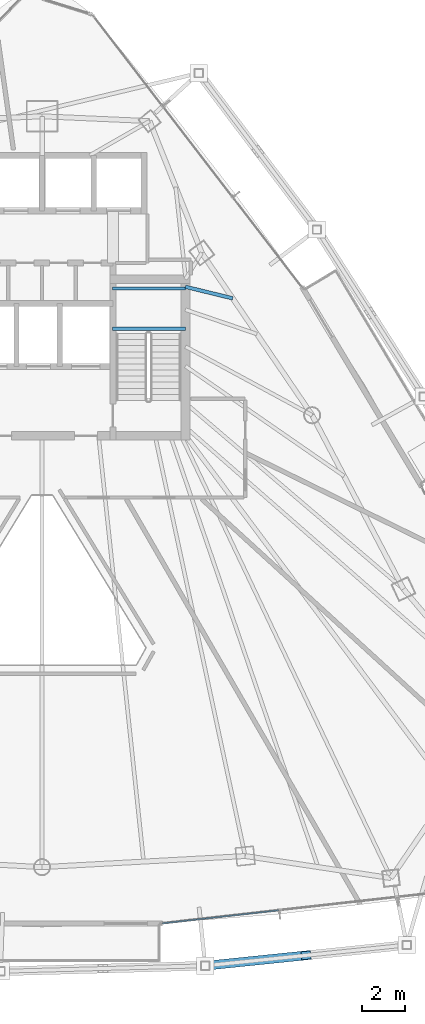
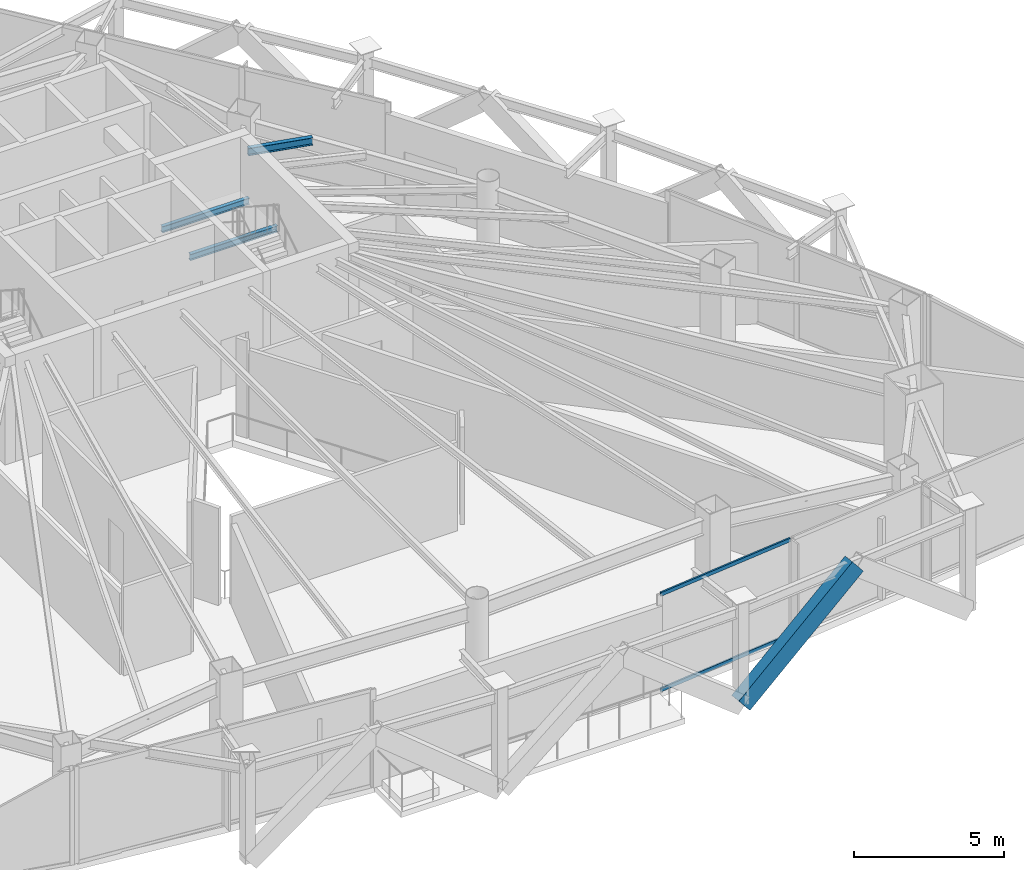
# One storey, part 11 of 27: 3 beams, 3 members, 1 element without a shape of its own.
"""IFC4 building model written with IfcOpenShell, lengths in metres."""

from ifc_helpers import new_model, si_unit, direction, frame, origin, origin_2d, place, context, subcontext, project, spatial, hollow_rectangle, i_section, extrude, material, layer, layer_set, material_profile, profile_set, type_object, element, aggregate, save


model = new_model("IFC4")

# Units and contexts
model_context = context("Model", 3, precision=1e-05, world=origin(), true_north=direction((0.0, 1.0)))
body_context = subcontext(model_context, "Body", "Model", "MODEL_VIEW")
ifc_project = project(units=[si_unit("LENGTHUNIT", "METRE"), si_unit("AREAUNIT", "SQUARE_METRE"), si_unit("VOLUMEUNIT", "CUBIC_METRE"), si_unit("PLANEANGLEUNIT", "RADIAN"), si_unit("MASSUNIT", "GRAM", prefix="KILO")], contexts=[model_context])

# Site, building, storey
site_placement = place(None, origin())
site = spatial("IfcSite", under=ifc_project, at=site_placement, CompositionType="ELEMENT")
building_placement = place(site_placement, origin())
building = spatial("IfcBuilding", under=site, at=building_placement, Name="Orvanel Arch Residences", CompositionType="ELEMENT")
storey_placement = place(building_placement, frame((0.0, 0.0, 186.949951171875)))
storey = spatial("IfcBuildingStorey", under=building, at=storey_placement, Name="L53", CompositionType="ELEMENT", Elevation=186.949951171875)

# Beams
ifc_material_1 = material(Name="Structural steel AS/NZS 3679.1 Grade 300 (300 MPa)", Category="steel")
ifc_material_profile_1 = material_profile(ifc_material_1, i_section(OverallWidth=0.14599609375, OverallDepth=0.251953125, WebThickness=0.006103515625, FlangeThickness=0.008544921875, at=origin_2d()), Name="250UB31.4")
ifc_profile_set_1 = profile_set([ifc_material_profile_1], Name="Structural steel AS/NZS 3679.1 Grade 300 (300 MPa)")
beam_type_1 = type_object("IfcBeamType", Name="BJ-250UB", PredefinedType="JOIST", material=ifc_profile_set_1)
for number, where, z_axis, x_axis, name in (
    (1, (36.25, 31.6201171875, 1.84912109375), (1.0, 0.0, 0.0), (0.0, 1.0, 0.0), "L53 ST-2 Half-Landing Support Beam 1.1"),
    (2, (36.25, 33.47998046875, 1.84912109375), (1.0, 0.0, 0.0), (0.0, 1.0, 0.0), "L53 ST-2 Half-Landing Support Beam 1.2"),
):
    element("IfcBeam", number, at=place(storey_placement, frame(where, z_axis=z_axis, x_axis=x_axis)), inside=storey, type_object=beam_type_1, Name=name, PredefinedType="JOIST", context=body_context, shape_type="SweptSolid", body=[
        extrude(i_section(OverallWidth=0.14599609375, OverallDepth=0.251953125, WebThickness=0.006103515625, FlangeThickness=0.008544921875, at=origin_2d()), origin(), (0.0, 0.0, 1.0), 3.35009765625),
    ])
ifc_material_profile_2 = material_profile(ifc_material_1, i_section(OverallWidth=0.1650390625, OverallDepth=0.303955078125, WebThickness=0.006103515625, FlangeThickness=0.01025390625, at=origin_2d()), Name="310UB40.4")
ifc_profile_set_2 = profile_set([ifc_material_profile_2], Name="Structural steel AS/NZS 3679.1 Grade 300 (300 MPa)")
beam_type_2 = type_object("IfcBeamType", Name="BJ-310UB", PredefinedType="JOIST", material=ifc_profile_set_2)
beam_placement = place(storey_placement, frame((39.60009765625, 33.550048828125, 3.798095703125), z_axis=(0.971638471014, -0.236471312521, 0.0), x_axis=(0.236471312521, 0.971638471014, 0.0)))
element("IfcBeam", 3, at=beam_placement, inside=storey, type_object=beam_type_2, Name="L53 JADD4 Wing Floor Joist", PredefinedType="JOIST", context=body_context, shape_type="SweptSolid", body=[
    extrude(i_section(OverallWidth=0.1650390625, OverallDepth=0.303955078125, WebThickness=0.006103515625, FlangeThickness=0.01025390625, at=origin_2d()), origin(), (0.0, 0.0, 1.0), 2.2373046875),
])

# Member
ifc_material_2 = material(Name="Structural steel AS/NZS 3678 Grade 350", Category="steel")
ifc_material_profile_3 = material_profile(ifc_material_2, hollow_rectangle(XDim=0.419921875, YDim=0.719970703125, WallThickness=0.02490234375, at=origin_2d()), Name="RHS720x420x25")
ifc_profile_set_3 = profile_set([ifc_material_profile_3], Name="Structural steel AS/NZS 3678 Grade 350")
member_type_1 = type_object("IfcMemberType", Name="BR-720RHS-EXT", PredefinedType="BRACE", material=ifc_profile_set_3)
member_1_placement = place(storey_placement, frame((40.510986328125, 2.304931640625, 0.0), z_axis=(0.775367812808, 0.079916311917, 0.626432867873), x_axis=(-0.102525768434, 0.994730348792, 0.0)))
element("IfcMember", 4, at=member_1_placement, inside=storey, type_object=member_type_1, Name="L53 Exterior Sky-Garden V-Frame Chevron F2B3.1", PredefinedType="BRACE", context=body_context, shape_type="SweptSolid", body=[
    extrude(hollow_rectangle(XDim=0.419921875, YDim=0.719970703125, WallThickness=0.02490234375, at=origin_2d()), origin(), (0.0, 0.0, 1.0), 5.981689453125),
])

# Curtain wall, members
ifc_material_3 = material(Name="Bronze-anodised aluminium AA6063-T6", Category="aluminium")
ifc_layer = layer(ifc_material_3, 0.195068359375)
ifc_layer_set = layer_set([ifc_layer], Name="Bronze-anodised aluminium AA6063-T6")
curtain_wall_type = type_object("IfcCurtainWallType", Name="CW6-COM-SYS", PredefinedType="NOTDEFINED", material=ifc_layer_set)
curtain_wall_placement = place(storey_placement, origin())
curtain_wall = element("IfcCurtainWall", 5, at=curtain_wall_placement, inside=storey, type_object=curtain_wall_type, Name="L53 CW6-COM-SYS Unitised Curtain Wall", PredefinedType="NOTDEFINED")
ifc_material_profile_4 = material_profile(ifc_material_3, hollow_rectangle(XDim=0.06494140625, YDim=0.14990234375, WallThickness=0.00390625, at=origin_2d()), Name="ALU150x65x4")
ifc_profile_set_4 = profile_set([ifc_material_profile_4], Name="Bronze-anodised aluminium AA6063-T6")
member_type_2 = type_object("IfcMemberType", Name="TRN-150x65", PredefinedType="USERDEFINED", material=ifc_profile_set_4)
member_2_placement = place(storey_placement, frame((38.547607421875, 4.25927734375, 0.032470703125), z_axis=(0.993783374496, 0.111331058449, 0.0), x_axis=(-0.111331058449, 0.993783374496, 0.0)))
member_2 = element("IfcMember", 6, at=member_2_placement, type_object=member_type_2, Name="CW-S6 transom 1.1", ObjectType="TRANSOM", PredefinedType="USERDEFINED", context=body_context, shape_type="SweptSolid", body=[
    extrude(hollow_rectangle(XDim=0.06494140625, YDim=0.14990234375, WallThickness=0.00390625, at=origin_2d()), origin(), (0.0, 0.0, 1.0), 5.36181640625),
])
member_3_placement = place(storey_placement, frame((38.547607421875, 4.25927734375, 3.91748046875), z_axis=(0.993783374496, 0.111331058449, 0.0), x_axis=(-0.111331058449, 0.993783374496, 0.0)))
member_3 = element("IfcMember", 7, at=member_3_placement, type_object=member_type_2, Name="CW-S6 transom 1.2", ObjectType="TRANSOM", PredefinedType="USERDEFINED", context=body_context, shape_type="SweptSolid", body=[
    extrude(hollow_rectangle(XDim=0.06494140625, YDim=0.14990234375, WallThickness=0.00390625, at=origin_2d()), origin(), (0.0, 0.0, 1.0), 5.36181640625),
])
aggregate(curtain_wall, [member_2, member_3])

save(model, "model.ifc")
